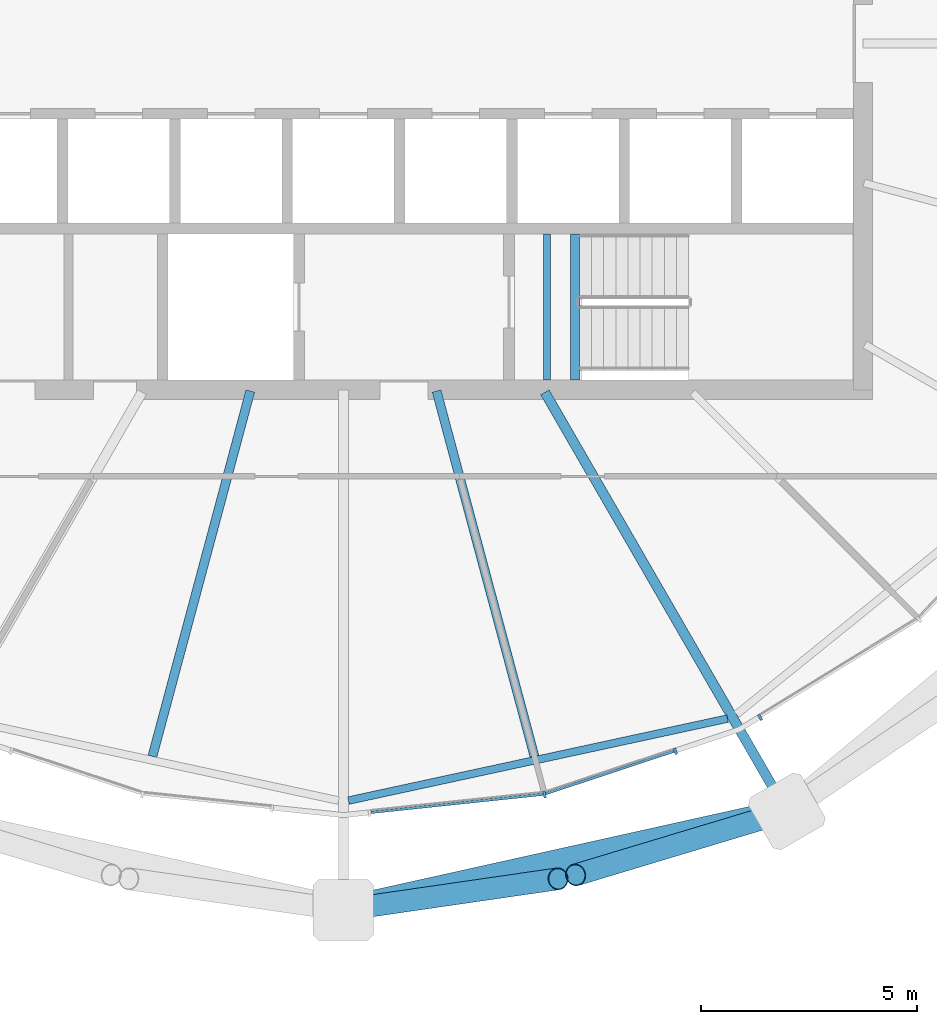
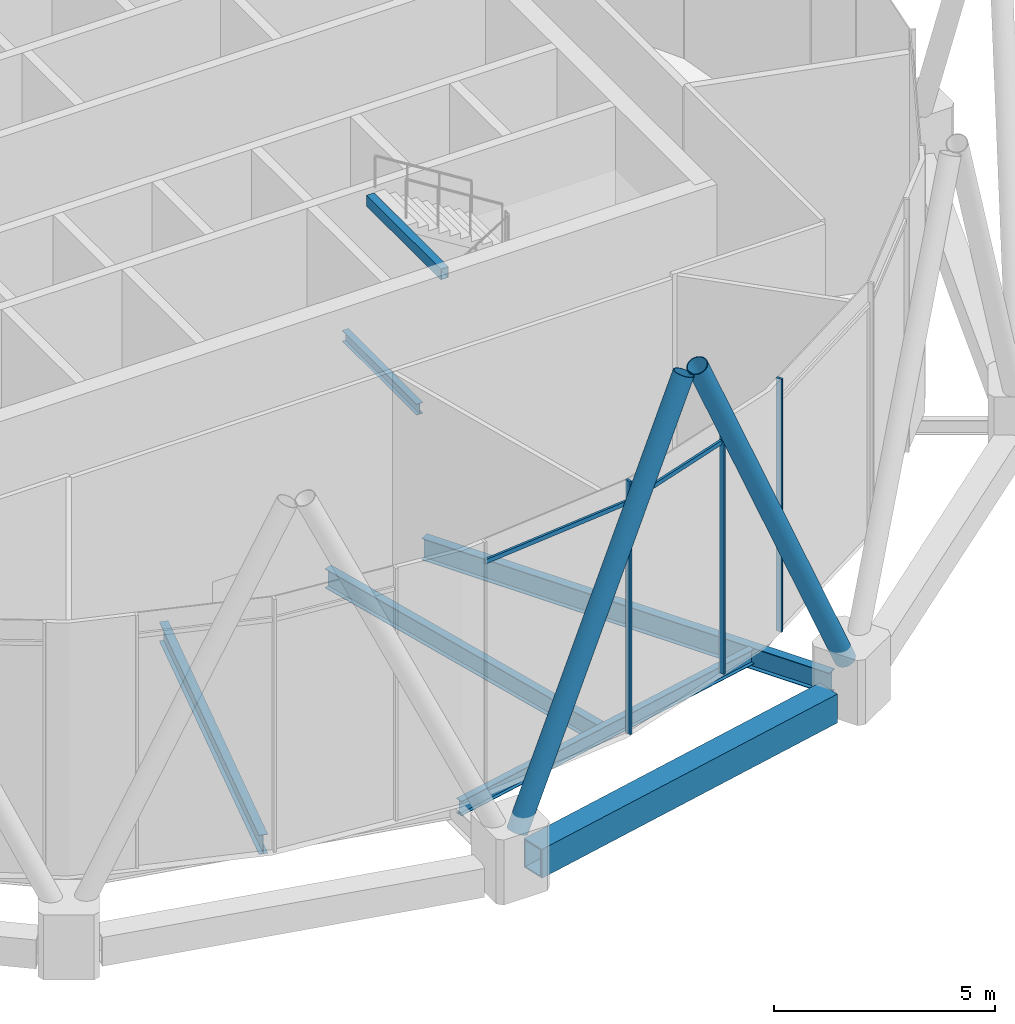
# One storey, part 4 of 28: 7 beams, 7 members, 1 element without a shape of its own.
"""IFC4 building model written with IfcOpenShell, lengths in metres."""

from ifc_helpers import new_model, si_unit, direction, frame, origin, origin_2d, place, context, subcontext, project, spatial, rectangle, hollow_rectangle, hollow_circle, i_section, extrude, material, material_profile, profile_set, type_object, element, aggregate, save


model = new_model("IFC4")

# Units and contexts
model_context = context("Model", 3, precision=1e-05, world=origin(), true_north=direction((0.0, 1.0)))
body_context = subcontext(model_context, "Body", "Model", "MODEL_VIEW")
ifc_project = project(units=[si_unit("LENGTHUNIT", "METRE"), si_unit("AREAUNIT", "SQUARE_METRE"), si_unit("VOLUMEUNIT", "CUBIC_METRE"), si_unit("PLANEANGLEUNIT", "RADIAN"), si_unit("MASSUNIT", "GRAM", prefix="KILO")], contexts=[model_context])

# Site, building, storey
site_placement = place(None, origin())
site = spatial("IfcSite", under=ifc_project, at=site_placement, CompositionType="ELEMENT")
building_placement = place(site_placement, origin())
building = spatial("IfcBuilding", under=site, at=building_placement, Name="Rimbun Link Towers", CompositionType="ELEMENT")
storey_placement = place(building_placement, frame((0.0, 0.0, 256.10009765625)))
storey = spatial("IfcBuildingStorey", under=building, at=storey_placement, Name="L63", CompositionType="ELEMENT", Elevation=256.10009765625)

# Curtain wall, members
ifc_material_1 = material(Name="Aluminium 6063-T6 and low-iron glass", Category="aluminium")
curtain_wall_type = type_object("IfcCurtainWallType", Name="CW5 full height lobby wall", PredefinedType="NOTDEFINED", material=ifc_material_1)
curtain_wall_placement = place(storey_placement, origin())
curtain_wall = element("IfcCurtainWall", 1, at=curtain_wall_placement, inside=storey, type_object=curtain_wall_type, Name="CW5 L63 T1", PredefinedType="NOTDEFINED")
ifc_material_2 = material(Name="Aluminium 6063-T6", Category="aluminium")
ifc_material_profile_1 = material_profile(ifc_material_2, rectangle(XDim=0.14990234375, YDim=0.06005859375, at=origin_2d()), Name="MULLION 60X150")
ifc_profile_set_1 = profile_set([ifc_material_profile_1], Name="Aluminium 6063-T6")
member_type_1 = type_object("IfcMemberType", Name="CW5 mullion 60X150", PredefinedType="MULLION", material=ifc_profile_set_1)
member_1_placement = place(storey_placement, frame((-27.10498046875, -17.35009765625, 0.0), z_axis=(0.0, 0.0, 1.0), x_axis=(0.210861265899, -0.977515998101, 0.0)))
member_1 = element("IfcMember", 2, at=member_1_placement, type_object=member_type_1, Name="CW5 mullion", PredefinedType="MULLION", context=body_context, shape_type="SweptSolid", body=[
    extrude(rectangle(XDim=0.14990234375, YDim=0.06005859375, at=origin_2d()), origin(), (0.0, 0.0, 1.0), 7.0),
])
member_2_placement = place(storey_placement, frame((-24.08154296875, -16.3486328125, 0.0), z_axis=(0.0, 0.0, 1.0), x_axis=(0.314558123546, -0.949238213997, 0.0)))
member_2 = element("IfcMember", 3, at=member_2_placement, type_object=member_type_1, Name="CW5 mullion", PredefinedType="MULLION", context=body_context, shape_type="SweptSolid", body=[
    extrude(rectangle(XDim=0.14990234375, YDim=0.06005859375, at=origin_2d()), origin(), (0.0, 0.0, 1.0), 7.0),
])
member_3_placement = place(storey_placement, frame((-22.125732421875, -15.56591796875, 0.0), z_axis=(0.0, 0.0, 1.0), x_axis=(0.523246228321, -0.85218154436, 0.0)))
member_3 = element("IfcMember", 4, at=member_3_placement, type_object=member_type_1, Name="CW5 mullion", PredefinedType="MULLION", context=body_context, shape_type="SweptSolid", body=[
    extrude(rectangle(XDim=0.14990234375, YDim=0.06005859375, at=origin_2d()), origin(), (0.0, 0.0, 1.0), 7.0),
])
ifc_material_3 = material(Name="Aluminium 6063-T6", Category="aluminium")
ifc_material_profile_2 = material_profile(ifc_material_3, rectangle(XDim=0.06005859375, YDim=0.1201171875, at=origin_2d()), Name="TRANSOM 60X120")
ifc_profile_set_2 = profile_set([ifc_material_profile_2], Name="Aluminium 6063-T6")
member_type_2 = type_object("IfcMemberType", Name="CW5 transom 60X120", PredefinedType="USERDEFINED", material=ifc_profile_set_2)
member_4_placement = place(storey_placement, frame((-27.14404296875, -17.341552734375, 6.39990234375), z_axis=(-0.994498753525, -0.104748409239, 0.0), x_axis=(0.104748409239, -0.994498753525, 0.0)))
member_4 = element("IfcMember", 5, at=member_4_placement, type_object=member_type_2, Name="CW5 transom", ObjectType="TRANSOM", PredefinedType="USERDEFINED", context=body_context, shape_type="SweptSolid", body=[
    extrude(rectangle(XDim=0.06005859375, YDim=0.1201171875, at=origin_2d()), origin(), (0.0, 0.0, 1.0), 3.994873046875),
])
member_5_placement = place(storey_placement, frame((-24.114013671875, -16.345703125, 6.39990234375), z_axis=(-0.949237948688, -0.314558924163, 0.0), x_axis=(0.314558924163, -0.949237948688, 0.0)))
member_5 = element("IfcMember", 6, at=member_5_placement, type_object=member_type_2, Name="CW5 transom", ObjectType="TRANSOM", PredefinedType="USERDEFINED", context=body_context, shape_type="SweptSolid", body=[
    extrude(rectangle(XDim=0.06005859375, YDim=0.1201171875, at=origin_2d()), origin(), (0.0, 0.0, 1.0), 3.116943359375),
])
aggregate(curtain_wall, [member_1, member_2, member_3, member_4, member_5])

# Members
ifc_material_4 = material(Name="Steel S355J2H", Category="steel")
ifc_material_profile_3 = material_profile(ifc_material_4, hollow_circle(Radius=0.25390625, WallThickness=0.02001953125, at=origin_2d()), Name="Diagrid diagonal CHS 508x20")
ifc_profile_set_3 = profile_set([ifc_material_profile_3], Name="Steel S355J2H")
member_type_3 = type_object("IfcMemberType", Name="Diagrid diagonal CHS 508x20", PredefinedType="BRACE", material=ifc_profile_set_3)
member_6_placement = place(storey_placement, frame((-31.545654296875, -19.984619140625, 0.455322265625), z_axis=(0.408818164233, 0.059230447399, 0.910691749548), x_axis=(-0.143385061898, 0.989666976323, 0.0)))
element("IfcMember", 7, at=member_6_placement, inside=storey, type_object=member_type_3, Name="Diagrid diagonal T1 L63-L65 18b", PredefinedType="BRACE", context=body_context, shape_type="SweptSolid", body=[
    extrude(hollow_circle(Radius=0.25390625, WallThickness=0.02001953125, at=origin_2d()), origin(), (0.0, 0.0, 1.0), 11.6279296875),
])
member_7_placement = place(storey_placement, frame((-21.709228515625, -17.798583984375, 0.453857421875), z_axis=(-0.401051097621, -0.120664870194, 0.908073788961), x_axis=(0.288113485997, -0.957596271498, 0.0)))
element("IfcMember", 8, at=member_7_placement, inside=storey, type_object=member_type_3, Name="Diagrid diagonal T1 L63-L65 20a", PredefinedType="BRACE", context=body_context, shape_type="SweptSolid", body=[
    extrude(hollow_circle(Radius=0.25390625, WallThickness=0.02001953125, at=origin_2d()), origin(), (0.0, 0.0, 1.0), 11.664306640625),
])

# Beams
ifc_material_5 = material(Name="Steel S355J2", Category="steel")
ifc_material_profile_4 = material_profile(ifc_material_5, hollow_rectangle(XDim=0.60009765625, YDim=0.800048828125, WallThickness=0.0400390625, at=origin_2d()), Name="Exoskeleton ring girder BOX 600x800x40")
ifc_profile_set_4 = profile_set([ifc_material_profile_4], Name="Steel S355J2")
beam_type_1 = type_object("IfcBeamType", Name="Exoskeleton ring girder BOX 600x800x40", PredefinedType="BEAM", material=ifc_profile_set_4)
beam_1_placement = place(storey_placement, frame((-31.066650390625, -19.8623046875, -0.56005859375), z_axis=(0.976192746712, 0.216904866859, 0.0), x_axis=(-0.216904866859, 0.976192746712, 0.0)))
element("IfcBeam", 9, at=beam_1_placement, inside=storey, type_object=beam_type_1, Name="Exoskeleton ring girder L63 09", PredefinedType="BEAM", context=body_context, shape_type="SweptSolid", body=[
    extrude(hollow_rectangle(XDim=0.60009765625, YDim=0.800048828125, WallThickness=0.0400390625, at=origin_2d()), origin(), (0.0, 0.0, 1.0), 9.09130859375),
])
ifc_material_6 = material(Name="Steel S355J2", Category="steel")
ifc_material_profile_5 = material_profile(ifc_material_6, i_section(OverallWidth=0.1650390625, OverallDepth=0.303466796875, WebThickness=0.006103515625, FlangeThickness=0.01025390625, at=origin_2d()), Name="UB 305x165x40")
ifc_profile_set_5 = profile_set([ifc_material_profile_5], Name="Steel S355J2")
beam_type_2 = type_object("IfcBeamType", Name="Stair landing beam UB 305x165x40", PredefinedType="BEAM", material=ifc_profile_set_5)
beam_2_placement = place(storey_placement, frame((-27.050048828125, -7.77490234375, 3.148193359375), z_axis=(0.0, 1.0, 0.0), x_axis=(-1.0, 0.0, 0.0)))
element("IfcBeam", 10, at=beam_2_placement, inside=storey, type_object=beam_type_2, Name="L63 ST2 stair beam 1", PredefinedType="BEAM", context=body_context, shape_type="SweptSolid", body=[
    extrude(i_section(OverallWidth=0.1650390625, OverallDepth=0.303466796875, WebThickness=0.006103515625, FlangeThickness=0.01025390625, at=origin_2d()), origin(), (0.0, 0.0, 1.0), 3.375),
])
ifc_material_7 = material(Name="Steel S355J2", Category="steel")
ifc_material_profile_6 = material_profile(ifc_material_7, hollow_rectangle(XDim=0.199951171875, YDim=0.300048828125, WallThickness=0.011962890625, at=origin_2d()), Name="BOX 300x200x12")
ifc_profile_set_6 = profile_set([ifc_material_profile_6], Name="Steel S355J2")
beam_type_3 = type_object("IfcBeamType", Name="Stair trimmer beam BOX 300x200x12", PredefinedType="BEAM", material=ifc_profile_set_6)
beam_3_placement = place(storey_placement, frame((-26.39990234375, -7.77490234375, 6.669921875), z_axis=(0.0, 1.0, 0.0), x_axis=(-1.0, 0.0, 0.0)))
element("IfcBeam", 11, at=beam_3_placement, inside=storey, type_object=beam_type_3, Name="L63 ST2 stair beam 2", PredefinedType="BEAM", context=body_context, shape_type="SweptSolid", body=[
    extrude(hollow_rectangle(XDim=0.199951171875, YDim=0.300048828125, WallThickness=0.011962890625, at=origin_2d()), origin(), (0.0, 0.0, 1.0), 3.375),
])
ifc_material_8 = material(Name="Steel S355J2", Category="steel")
ifc_material_profile_7 = material_profile(ifc_material_8, i_section(OverallWidth=0.177978515625, OverallDepth=0.406494140625, WebThickness=0.0078125, FlangeThickness=0.0126953125, at=origin_2d()), Name="UB 406x178x60")
ifc_profile_set_7 = profile_set([ifc_material_profile_7], Name="Steel S355J2")
beam_type_4 = type_object("IfcBeamType", Name="UB 406x178x60", PredefinedType="BEAM", material=ifc_profile_set_7)
beam_4_placement = place(storey_placement, frame((-31.63525390625, -17.488037109375, -0.38330078125), z_axis=(0.977400622906, 0.211395417033, 0.0), x_axis=(-0.211395417033, 0.977400622906, 0.0)))
element("IfcBeam", 12, at=beam_4_placement, inside=storey, type_object=beam_type_4, Name="Edge beam T1 L63 18-20", PredefinedType="BEAM", context=body_context, shape_type="SweptSolid", body=[
    extrude(i_section(OverallWidth=0.177978515625, OverallDepth=0.406494140625, WebThickness=0.0078125, FlangeThickness=0.0126953125, at=origin_2d()), origin(), (0.0, 0.0, 1.0), 8.95849609375),
])
ifc_material_9 = material(Name="Steel S355J2", Category="steel")
ifc_material_profile_8 = material_profile(ifc_material_9, i_section(OverallWidth=0.209228515625, OverallDepth=0.533203125, WebThickness=0.010009765625, FlangeThickness=0.015625, at=origin_2d()), Name="UB 533x210x92")
ifc_profile_set_8 = profile_set([ifc_material_profile_8], Name="Steel S355J2")
beam_type_5 = type_object("IfcBeamType", Name="UB 533x210x92", PredefinedType="BEAM", material=ifc_profile_set_8)
for number, where, z_axis, x_axis, name in (
    (13, (-33.901123046875, -8.028076171875, -0.446533203125), (-0.258808722703, -0.965928592108, 0.0), (0.965928592108, -0.258808722703, 0.0), "Radial beam T1 L63 17"),
    (14, (-29.598876953125, -8.028076171875, -0.446533203125), (0.258808722703, -0.965928592108, 0.0), (0.965928592108, 0.258808722703, 0.0), "Radial beam T1 L63 19"),
):
    element("IfcBeam", number, at=place(storey_placement, frame(where, z_axis=z_axis, x_axis=x_axis)), inside=storey, type_object=beam_type_5, Name=name, PredefinedType="BEAM", context=body_context, shape_type="SweptSolid", body=[
        extrude(i_section(OverallWidth=0.209228515625, OverallDepth=0.533203125, WebThickness=0.010009765625, FlangeThickness=0.015625, at=origin_2d()), origin(), (0.0, 0.0, 1.0), 8.736083984375),
    ])
ifc_material_10 = material(Name="Steel S355J2", Category="steel")
ifc_material_profile_9 = material_profile(ifc_material_10, i_section(OverallWidth=0.2275390625, OverallDepth=0.6025390625, WebThickness=0.010498046875, FlangeThickness=0.014892578125, at=origin_2d()), Name="UB 610x229x101")
ifc_profile_set_9 = profile_set([ifc_material_profile_9], Name="Steel S355J2")
beam_type_6 = type_object("IfcBeamType", Name="UB 610x229x101", PredefinedType="BEAM", material=ifc_profile_set_9)
beam_5_placement = place(storey_placement, frame((-27.097900390625, -8.057861328125, -0.4814453125), z_axis=(0.500002169237, -0.866024151371, 0.0), x_axis=(0.866024151371, 0.500002169237, 0.0)))
element("IfcBeam", 15, at=beam_5_placement, inside=storey, type_object=beam_type_6, Name="Radial beam T1 L63 20", PredefinedType="BEAM", context=body_context, shape_type="SweptSolid", body=[
    extrude(i_section(OverallWidth=0.2275390625, OverallDepth=0.6025390625, WebThickness=0.010498046875, FlangeThickness=0.014892578125, at=origin_2d()), origin(), (0.0, 0.0, 1.0), 10.67822265625),
])

save(model, "model.ifc")
